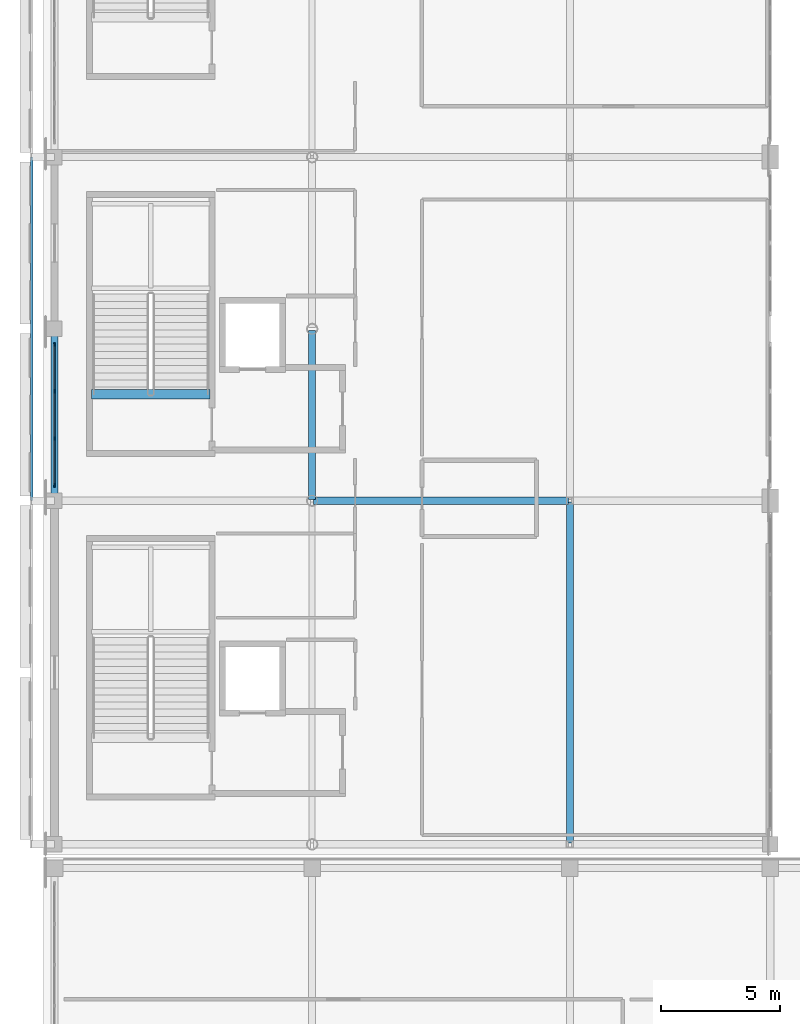
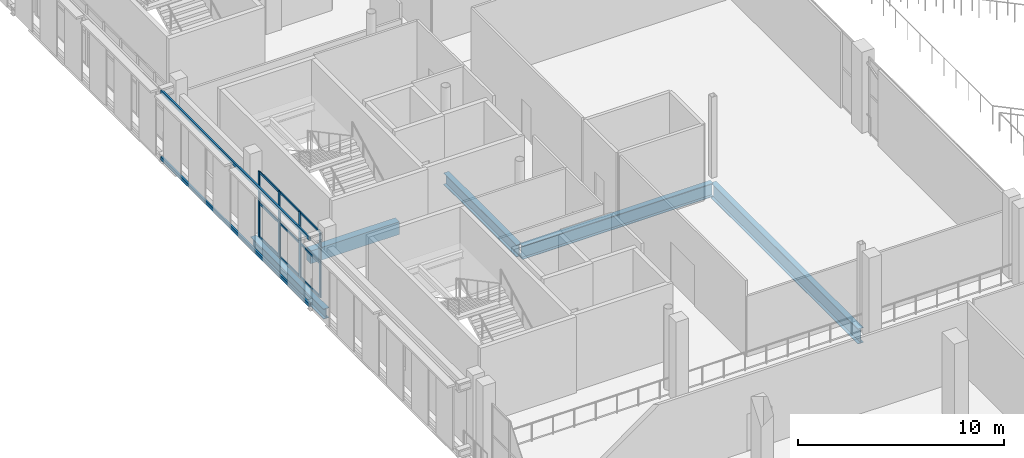
# One storey, part 17 of 104: 15 members, 5 beams, 1 element without a shape of its own.
"""IFC4 building model written with IfcOpenShell, lengths in metres."""

from ifc_helpers import new_model, si_unit, direction, frame, origin, origin_2d, place, context, subcontext, project, spatial, rectangle, hollow_rectangle, i_section, extrude, material, material_profile, profile_set, type_object, element, aggregate, save


model = new_model("IFC4")

# Units and contexts
model_context = context("Model", 3, precision=1e-05, world=origin(), true_north=direction((0.0, 1.0)))
body_context = subcontext(model_context, "Body", "Model", "MODEL_VIEW")
ifc_project = project(units=[si_unit("LENGTHUNIT", "METRE"), si_unit("AREAUNIT", "SQUARE_METRE"), si_unit("VOLUMEUNIT", "CUBIC_METRE"), si_unit("PLANEANGLEUNIT", "RADIAN"), si_unit("MASSUNIT", "GRAM", prefix="KILO")], contexts=[model_context])

# Site, building, storey
site_placement = place(None, origin())
site = spatial("IfcSite", under=ifc_project, at=site_placement, CompositionType="ELEMENT")
building_placement = place(site_placement, origin())
building = spatial("IfcBuilding", under=site, at=building_placement, Name="Koshinbarg Plaza Stadium", CompositionType="ELEMENT")
storey_placement = place(building_placement, frame((0.0, 0.0, 19.800048828125)))
storey = spatial("IfcBuildingStorey", under=building, at=storey_placement, Name="L04", CompositionType="ELEMENT", Elevation=19.800048828125)

# Beams
ifc_material_1 = material(Name="Concrete C40/50", Category="concrete")
ifc_material_profile_1 = material_profile(ifc_material_1, rectangle(XDim=0.39990234375, YDim=0.75, at=origin_2d()), Name="RC 400x750")
ifc_profile_set_1 = profile_set([ifc_material_profile_1], Name="Concrete C40/50")
beam_type_1 = type_object("IfcBeamType", Name="BM-RCG-03", PredefinedType="USERDEFINED", material=ifc_profile_set_1)
beam_1_placement = place(storey_placement, frame((26.14990234375, 44.360107421875, -0.375), z_axis=(1.0, 0.0, 0.0), x_axis=(0.0, 1.0, 0.0)))
element("IfcBeam", 1, at=beam_1_placement, inside=storey, type_object=beam_type_1, Name="L04 stair landing header beam C02", ObjectType="GIRDER", PredefinedType="USERDEFINED", context=body_context, shape_type="SweptSolid", body=[
    extrude(rectangle(XDim=0.39990234375, YDim=0.75, at=origin_2d()), origin(), (0.0, 0.0, 1.0), 4.97021484375),
])
ifc_material_2 = material(Name="Steel S355", Category="steel")
ifc_material_profile_2 = material_profile(ifc_material_2, i_section(OverallWidth=0.300048828125, OverallDepth=0.60009765625, WebThickness=0.015380859375, FlangeThickness=0.030029296875, at=origin_2d()), Name="HEB 600")
ifc_profile_set_2 = profile_set([ifc_material_profile_2], Name="Steel S355")
beam_type_2 = type_object("IfcBeamType", Name="BM-SGIR-02", PredefinedType="USERDEFINED", material=ifc_profile_set_2)
beam_2_placement = place(storey_placement, frame((24.60009765625, 39.9599609375, -0.60009765625), z_axis=(0.0, 1.0, 0.0), x_axis=(-1.0, 0.0, 0.0)))
element("IfcBeam", 2, at=beam_2_placement, inside=storey, type_object=beam_type_2, Name="L04 Y girder 5/F-G", ObjectType="GIRDER", PredefinedType="USERDEFINED", context=body_context, shape_type="SweptSolid", body=[
    extrude(i_section(OverallWidth=0.300048828125, OverallDepth=0.60009765625, WebThickness=0.015380859375, FlangeThickness=0.030029296875, at=origin_2d()), origin(), (0.0, 0.0, 1.0), 7.080078125),
])
ifc_material_profile_3 = material_profile(ifc_material_2, i_section(OverallWidth=0.300048828125, OverallDepth=0.699951171875, WebThickness=0.01708984375, FlangeThickness=0.031982421875, at=origin_2d()), Name="HEB 700")
ifc_profile_set_3 = profile_set([ifc_material_profile_3], Name="Steel S355")
beam_type_3 = type_object("IfcBeamType", Name="BM-SGIR-03", PredefinedType="USERDEFINED", material=ifc_profile_set_3)
beam_3_placement = place(storey_placement, frame((35.39990234375, 39.9599609375, -0.650146484375), z_axis=(0.0, 1.0, 0.0), x_axis=(-1.0, 0.0, 0.0)))
element("IfcBeam", 3, at=beam_3_placement, inside=storey, type_object=beam_type_3, Name="L04 Y girder 6/F-G", ObjectType="GIRDER", PredefinedType="USERDEFINED", context=body_context, shape_type="SweptSolid", body=[
    extrude(i_section(OverallWidth=0.300048828125, OverallDepth=0.699951171875, WebThickness=0.01708984375, FlangeThickness=0.031982421875, at=origin_2d()), origin(), (0.0, 0.0, 1.0), 7.080078125),
])
ifc_material_profile_4 = material_profile(ifc_material_2, i_section(OverallWidth=0.300048828125, OverallDepth=0.800048828125, WebThickness=0.017578125, FlangeThickness=0.032958984375, at=origin_2d()), Name="HEB 800")
ifc_profile_set_4 = profile_set([ifc_material_profile_4], Name="Steel S355")
beam_type_4 = type_object("IfcBeamType", Name="BM-SGIR-04", PredefinedType="USERDEFINED", material=ifc_profile_set_4)
beam_4_placement = place(storey_placement, frame((35.4599609375, 39.89990234375, -0.699951171875), z_axis=(1.0, 0.0, 0.0), x_axis=(0.0, 1.0, 0.0)))
element("IfcBeam", 4, at=beam_4_placement, inside=storey, type_object=beam_type_4, Name="L04 X girder F/6-7", ObjectType="GIRDER", PredefinedType="USERDEFINED", context=body_context, shape_type="SweptSolid", body=[
    extrude(i_section(OverallWidth=0.300048828125, OverallDepth=0.800048828125, WebThickness=0.017578125, FlangeThickness=0.032958984375, at=origin_2d()), origin(), (0.0, 0.0, 1.0), 10.679931640625),
])
ifc_material_profile_5 = material_profile(ifc_material_2, i_section(OverallWidth=0.300048828125, OverallDepth=0.89990234375, WebThickness=0.0185546875, FlangeThickness=0.034912109375, at=origin_2d()), Name="HEB 900")
ifc_profile_set_5 = profile_set([ifc_material_profile_5], Name="Steel S355")
beam_type_5 = type_object("IfcBeamType", Name="BM-SGIR-05", PredefinedType="USERDEFINED", material=ifc_profile_set_5)
beam_5_placement = place(storey_placement, frame((46.199951171875, 25.56005859375, -0.75), z_axis=(0.0, 1.0, 0.0), x_axis=(-1.0, 0.0, 0.0)))
element("IfcBeam", 5, at=beam_5_placement, inside=storey, type_object=beam_type_5, Name="L04 Y girder 7/E-F", ObjectType="GIRDER", PredefinedType="USERDEFINED", context=body_context, shape_type="SweptSolid", body=[
    extrude(i_section(OverallWidth=0.300048828125, OverallDepth=0.89990234375, WebThickness=0.0185546875, FlangeThickness=0.034912109375, at=origin_2d()), origin(), (0.0, 0.0, 1.0), 14.280029296875),
])

# Curtain wall, members
ifc_material_3 = material(Name="Thermally broken anodised aluminium and low-E double glazing", Category="aluminium")
curtain_wall_type = type_object("IfcCurtainWallType", Name="CW-SYS-14", PredefinedType="NOTDEFINED", material=ifc_material_3)
curtain_wall_placement = place(storey_placement, origin())
curtain_wall = element("IfcCurtainWall", 6, at=curtain_wall_placement, inside=storey, type_object=curtain_wall_type, Name="L04 unitised curtain wall CW-L04-093", PredefinedType="NOTDEFINED")
ifc_material_4 = material(Name="Anodised aluminium mullion", Category="aluminium")
ifc_material_profile_6 = material_profile(ifc_material_4, rectangle(XDim=0.06005859375, YDim=0.159912109375, at=origin_2d()), Name="ALU 60x160")
ifc_profile_set_6 = profile_set([ifc_material_profile_6], Name="Anodised aluminium mullion")
member_type_1 = type_object("IfcMemberType", Name="CW-MUL-02", PredefinedType="MULLION", material=ifc_profile_set_6)
member_1_placement = place(storey_placement, frame((24.60009765625, 40.550048828125, 0.0), z_axis=(0.0, 0.0, 1.0), x_axis=(-1.0, 0.0, 0.0)))
member_1 = element("IfcMember", 7, at=member_1_placement, type_object=member_type_1, Name="CW14 mullion 1", PredefinedType="MULLION", context=body_context, shape_type="SweptSolid", body=[
    extrude(rectangle(XDim=0.06005859375, YDim=0.159912109375, at=origin_2d()), origin(), (0.0, 0.0, 1.0), 3.8798828125),
])
member_2_placement = place(storey_placement, frame((24.60009765625, 42.506591796875, 0.0), z_axis=(0.0, 0.0, 1.0), x_axis=(-1.0, 0.0, 0.0)))
member_2 = element("IfcMember", 8, at=member_2_placement, type_object=member_type_1, Name="CW14 mullion 2", PredefinedType="MULLION", context=body_context, shape_type="SweptSolid", body=[
    extrude(rectangle(XDim=0.06005859375, YDim=0.159912109375, at=origin_2d()), origin(), (0.0, 0.0, 1.0), 3.8798828125),
])
member_3_placement = place(storey_placement, frame((24.60009765625, 44.493408203125, 0.0), z_axis=(0.0, 0.0, 1.0), x_axis=(-1.0, 0.0, 0.0)))
member_3 = element("IfcMember", 9, at=member_3_placement, type_object=member_type_1, Name="CW14 mullion 3", PredefinedType="MULLION", context=body_context, shape_type="SweptSolid", body=[
    extrude(rectangle(XDim=0.06005859375, YDim=0.159912109375, at=origin_2d()), origin(), (0.0, 0.0, 1.0), 3.8798828125),
])
member_4_placement = place(storey_placement, frame((24.60009765625, 46.449951171875, 0.0), z_axis=(0.0, 0.0, 1.0), x_axis=(-1.0, 0.0, 0.0)))
member_4 = element("IfcMember", 10, at=member_4_placement, type_object=member_type_1, Name="CW14 mullion 4", PredefinedType="MULLION", context=body_context, shape_type="SweptSolid", body=[
    extrude(rectangle(XDim=0.06005859375, YDim=0.159912109375, at=origin_2d()), origin(), (0.0, 0.0, 1.0), 3.8798828125),
])
ifc_material_5 = material(Name="Anodised aluminium transom", Category="aluminium")
ifc_material_profile_7 = material_profile(ifc_material_5, rectangle(XDim=0.06005859375, YDim=0.1298828125, at=origin_2d()), Name="ALU 60x130")
ifc_profile_set_7 = profile_set([ifc_material_profile_7], Name="Anodised aluminium transom")
member_type_2 = type_object("IfcMemberType", Name="CW-TRN-02", PredefinedType="USERDEFINED", material=ifc_profile_set_7)
member_5_placement = place(storey_placement, frame((24.60009765625, 40.580078125, 0.030029296875), z_axis=(0.0, 1.0, 0.0), x_axis=(-1.0, 0.0, 0.0)))
member_5 = element("IfcMember", 11, at=member_5_placement, type_object=member_type_2, Name="CW14 transom 1.1", ObjectType="TRANSOM", PredefinedType="USERDEFINED", context=body_context, shape_type="SweptSolid", body=[
    extrude(rectangle(XDim=0.06005859375, YDim=0.1298828125, at=origin_2d()), origin(), (0.0, 0.0, 1.0), 1.896484375),
])
member_6_placement = place(storey_placement, frame((24.60009765625, 40.580078125, 2.017578125), z_axis=(0.0, 1.0, 0.0), x_axis=(-1.0, 0.0, 0.0)))
member_6 = element("IfcMember", 12, at=member_6_placement, type_object=member_type_2, Name="CW14 transom 1.2", ObjectType="TRANSOM", PredefinedType="USERDEFINED", context=body_context, shape_type="SweptSolid", body=[
    extrude(rectangle(XDim=0.06005859375, YDim=0.1298828125, at=origin_2d()), origin(), (0.0, 0.0, 1.0), 1.896484375),
])
member_7_placement = place(storey_placement, frame((24.60009765625, 40.580078125, 3.849853515625), z_axis=(0.0, 1.0, 0.0), x_axis=(-1.0, 0.0, 0.0)))
member_7 = element("IfcMember", 13, at=member_7_placement, type_object=member_type_2, Name="CW14 transom 1.3", ObjectType="TRANSOM", PredefinedType="USERDEFINED", context=body_context, shape_type="SweptSolid", body=[
    extrude(rectangle(XDim=0.06005859375, YDim=0.1298828125, at=origin_2d()), origin(), (0.0, 0.0, 1.0), 1.896484375),
])
member_8_placement = place(storey_placement, frame((24.60009765625, 42.53662109375, 0.030029296875), z_axis=(0.0, 1.0, 0.0), x_axis=(-1.0, 0.0, 0.0)))
member_8 = element("IfcMember", 14, at=member_8_placement, type_object=member_type_2, Name="CW14 transom 2.1", ObjectType="TRANSOM", PredefinedType="USERDEFINED", context=body_context, shape_type="SweptSolid", body=[
    extrude(rectangle(XDim=0.06005859375, YDim=0.1298828125, at=origin_2d()), origin(), (0.0, 0.0, 1.0), 1.9267578125),
])
member_9_placement = place(storey_placement, frame((24.60009765625, 42.53662109375, 2.017578125), z_axis=(0.0, 1.0, 0.0), x_axis=(-1.0, 0.0, 0.0)))
member_9 = element("IfcMember", 15, at=member_9_placement, type_object=member_type_2, Name="CW14 transom 2.2", ObjectType="TRANSOM", PredefinedType="USERDEFINED", context=body_context, shape_type="SweptSolid", body=[
    extrude(rectangle(XDim=0.06005859375, YDim=0.1298828125, at=origin_2d()), origin(), (0.0, 0.0, 1.0), 1.9267578125),
])
member_10_placement = place(storey_placement, frame((24.60009765625, 42.53662109375, 3.849853515625), z_axis=(0.0, 1.0, 0.0), x_axis=(-1.0, 0.0, 0.0)))
member_10 = element("IfcMember", 16, at=member_10_placement, type_object=member_type_2, Name="CW14 transom 2.3", ObjectType="TRANSOM", PredefinedType="USERDEFINED", context=body_context, shape_type="SweptSolid", body=[
    extrude(rectangle(XDim=0.06005859375, YDim=0.1298828125, at=origin_2d()), origin(), (0.0, 0.0, 1.0), 1.9267578125),
])
member_11_placement = place(storey_placement, frame((24.60009765625, 44.5234375, 0.030029296875), z_axis=(0.0, 1.0, 0.0), x_axis=(-1.0, 0.0, 0.0)))
member_11 = element("IfcMember", 17, at=member_11_placement, type_object=member_type_2, Name="CW14 transom 3.1", ObjectType="TRANSOM", PredefinedType="USERDEFINED", context=body_context, shape_type="SweptSolid", body=[
    extrude(rectangle(XDim=0.06005859375, YDim=0.1298828125, at=origin_2d()), origin(), (0.0, 0.0, 1.0), 1.896484375),
])
member_12_placement = place(storey_placement, frame((24.60009765625, 44.5234375, 2.017578125), z_axis=(0.0, 1.0, 0.0), x_axis=(-1.0, 0.0, 0.0)))
member_12 = element("IfcMember", 18, at=member_12_placement, type_object=member_type_2, Name="CW14 transom 3.2", ObjectType="TRANSOM", PredefinedType="USERDEFINED", context=body_context, shape_type="SweptSolid", body=[
    extrude(rectangle(XDim=0.06005859375, YDim=0.1298828125, at=origin_2d()), origin(), (0.0, 0.0, 1.0), 1.896484375),
])
member_13_placement = place(storey_placement, frame((24.60009765625, 44.5234375, 3.849853515625), z_axis=(0.0, 1.0, 0.0), x_axis=(-1.0, 0.0, 0.0)))
member_13 = element("IfcMember", 19, at=member_13_placement, type_object=member_type_2, Name="CW14 transom 3.3", ObjectType="TRANSOM", PredefinedType="USERDEFINED", context=body_context, shape_type="SweptSolid", body=[
    extrude(rectangle(XDim=0.06005859375, YDim=0.1298828125, at=origin_2d()), origin(), (0.0, 0.0, 1.0), 1.896484375),
])
aggregate(curtain_wall, [member_1, member_2, member_3, member_4, member_5, member_6, member_7, member_8, member_9, member_10, member_11, member_12, member_13])

# Members
ifc_material_profile_8 = material_profile(ifc_material_2, hollow_rectangle(XDim=0.10009765625, YDim=0.199951171875, WallThickness=0.008056640625, at=origin_2d()), Name="RHS 200x100x8")
ifc_profile_set_8 = profile_set([ifc_material_profile_8], Name="Steel S355")
member_type_3 = type_object("IfcMemberType", Name="MB-PURL-03", PredefinedType="PURLIN", material=ifc_profile_set_8)
for number, where, z_axis, x_axis, name in (
    (20, (23.64990234375, 39.89990234375, 0.25), (0.0, 1.0, 0.0), (-1.0, 0.0, 0.0), "L04 outer screen subframe rail W-2-BOT"),
    (21, (23.64990234375, 39.89990234375, 4.179931640625), (0.0, 1.0, 0.0), (-1.0, 0.0, 0.0), "L04 outer screen subframe rail W-2-TOP"),
):
    element("IfcMember", number, at=place(storey_placement, frame(where, z_axis=z_axis, x_axis=x_axis)), inside=storey, type_object=member_type_3, Name=name, PredefinedType="PURLIN", context=body_context, shape_type="SweptSolid", body=[
        extrude(hollow_rectangle(XDim=0.10009765625, YDim=0.199951171875, WallThickness=0.008056640625, at=origin_2d()), origin(), (0.0, 0.0, 1.0), 14.400146484375),
    ])

save(model, "model.ifc")
